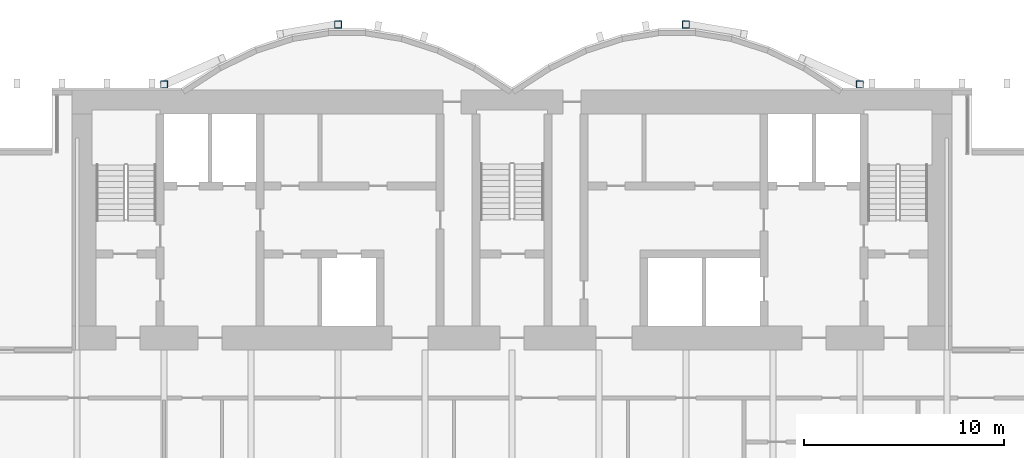
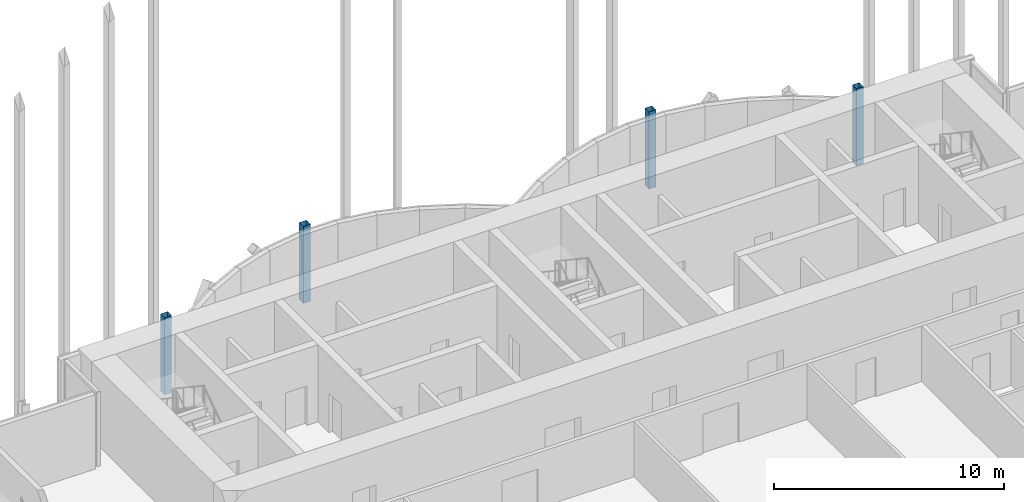
# One storey, part 3 of 29: 4 columns.
"""IFC4 building model written with IfcOpenShell, lengths in metres."""

from ifc_helpers import new_model, si_unit, direction, frame, origin, origin_2d, place, context, subcontext, project, spatial, hollow_rectangle, extrude, material, material_profile, profile_set, type_object, element, save


model = new_model("IFC4")

# Units and contexts
model_context = context("Model", 3, precision=1e-05, world=origin(), true_north=direction((0.0, 1.0)))
body_context = subcontext(model_context, "Body", "Model", "MODEL_VIEW")
ifc_project = project(units=[si_unit("LENGTHUNIT", "METRE"), si_unit("AREAUNIT", "SQUARE_METRE"), si_unit("VOLUMEUNIT", "CUBIC_METRE"), si_unit("PLANEANGLEUNIT", "RADIAN"), si_unit("MASSUNIT", "GRAM", prefix="KILO")], contexts=[model_context])

# Site, building, storey
site_placement = place(None, origin())
site = spatial("IfcSite", under=ifc_project, at=site_placement, CompositionType="ELEMENT")
building_placement = place(site_placement, origin())
building = spatial("IfcBuilding", under=site, at=building_placement, Name="Bicima Exchange Tower", CompositionType="ELEMENT")
storey_placement = place(building_placement, frame((0.0, 0.0, 190.89990234375)))
storey = spatial("IfcBuildingStorey", under=building, at=storey_placement, Name="L42", CompositionType="ELEMENT", Elevation=190.89990234375)

# Columns
ifc_material = material(Name="Steel ASTM A572 Gr 50", Category="steel")
ifc_material_profile = material_profile(ifc_material, hollow_rectangle(XDim=0.355712890625, YDim=0.355712890625, WallThickness=0.01171875, at=origin_2d()))
ifc_profile_set = profile_set([ifc_material_profile], Name="Steel ASTM A572 Gr 50")
column_type = type_object("IfcColumnType", Name="Rear pilaster HSS14x14x1/2", PredefinedType="COLUMN", material=ifc_profile_set)
for number, where, z_axis, x_axis, name in (
    (1, (-8.699951171875, 3.26904296875, 0.0), (0.0, 0.0, 1.0), (1.0, 0.0, 0.0), "Rear pilaster rexo-8.7r"),
    (2, (-17.39990234375, 0.278076171875, 0.0), (0.0, 0.0, 1.0), (1.0, 0.0, 0.0), "Rear pilaster rexo-17.4r"),
    (3, (8.699951171875, 3.26904296875, 0.0), (0.0, 0.0, 1.0), (1.0, 0.0, 0.0), "Rear pilaster rexo+8.7r"),
    (4, (17.39990234375, 0.278076171875, 0.0), (0.0, 0.0, 1.0), (1.0, 0.0, 0.0), "Rear pilaster rexo+17.4r"),
):
    element("IfcColumn", number, at=place(storey_placement, frame(where, z_axis=z_axis, x_axis=x_axis)), inside=storey, type_object=column_type, Name=name, PredefinedType="COLUMN", context=body_context, shape_type="SweptSolid", body=[
        extrude(hollow_rectangle(XDim=0.355712890625, YDim=0.355712890625, WallThickness=0.01171875, at=origin_2d()), origin(), (0.0, 0.0, 1.0), 4.10009765625),
    ])

save(model, "model.ifc")
